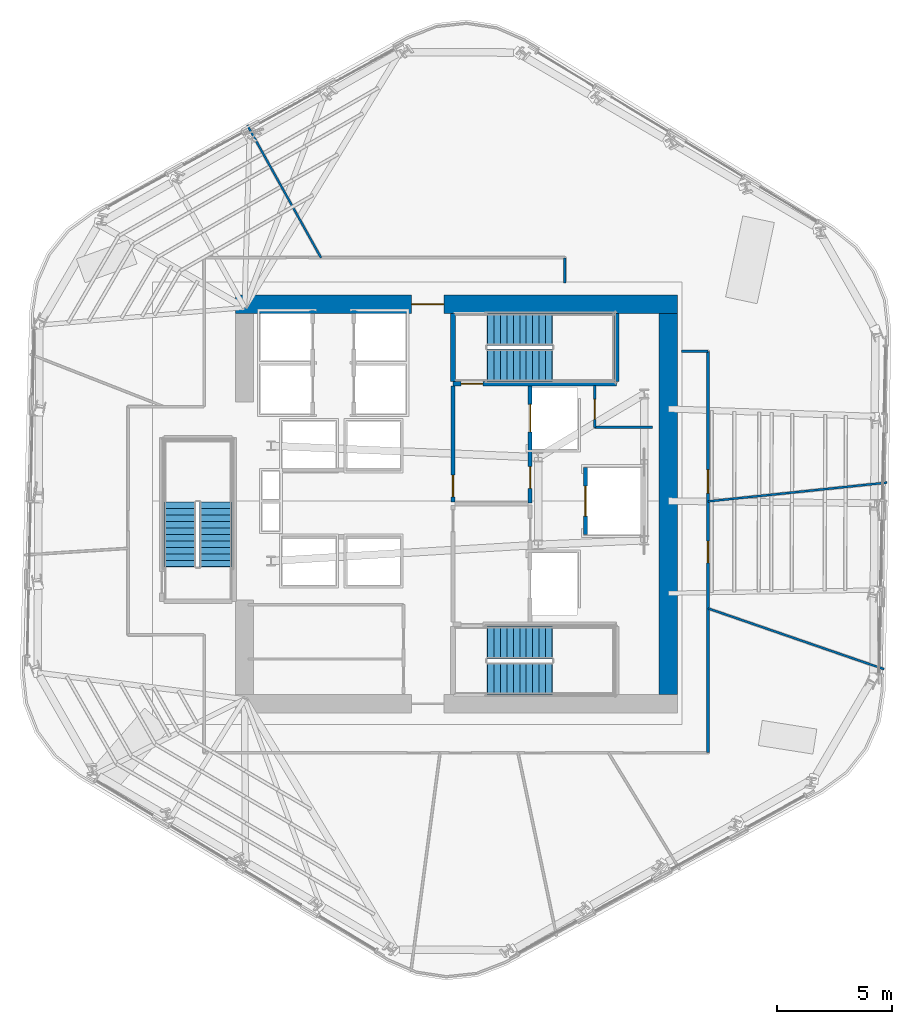
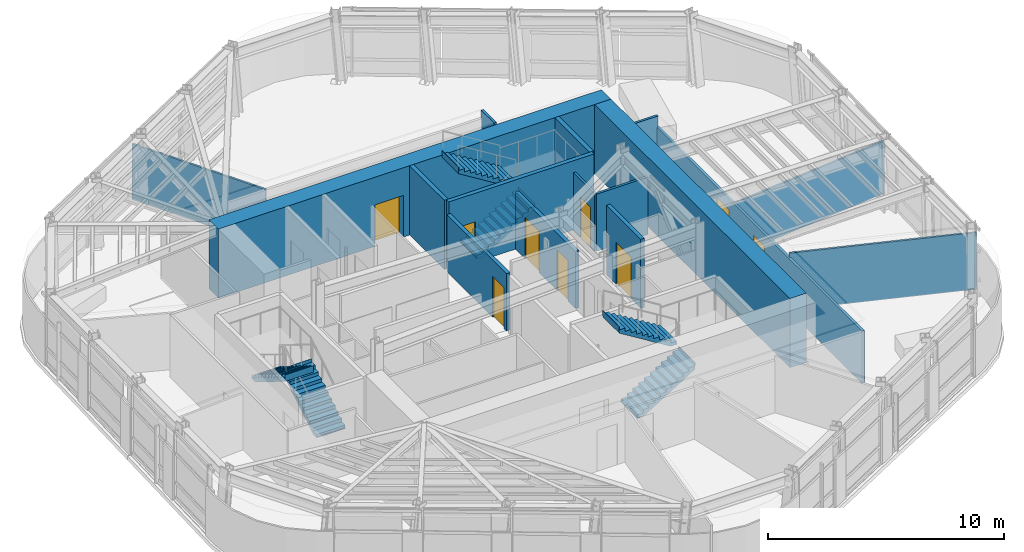
# One storey, part 8 of 14: 16 walls, 9 doors, 6 stair flights, 9 openings, 3 elements without a shape of their own.
"""IFC4 building model written with IfcOpenShell, lengths in metres."""

from ifc_helpers import new_model, si_unit, direction, frame, frame_2d, origin, place, context, subcontext, project, spatial, polyline, rectangle, outline, extrude, material, layer, layer_set, type_object, element, fill, aggregate, save


model = new_model("IFC4")

# Units and contexts
model_context = context("Model", 3, precision=1e-05, world=origin(), true_north=direction((0.0, 1.0)))
body_context = subcontext(model_context, "Body", "Model", "MODEL_VIEW")
ifc_project = project(units=[si_unit("LENGTHUNIT", "METRE"), si_unit("AREAUNIT", "SQUARE_METRE"), si_unit("VOLUMEUNIT", "CUBIC_METRE"), si_unit("PLANEANGLEUNIT", "RADIAN"), si_unit("MASSUNIT", "GRAM", prefix="KILO")], contexts=[model_context])

# Site, building, storey
site_placement = place(None, origin())
site = spatial("IfcSite", under=ifc_project, at=site_placement, CompositionType="ELEMENT")
building_placement = place(site_placement, origin())
building = spatial("IfcBuilding", under=site, at=building_placement, Name="Valkerne Bourse Tower", CompositionType="ELEMENT")
storey_placement = place(building_placement, frame((0.0, 0.0, 147.60009765625)))
storey = spatial("IfcBuildingStorey", under=building, at=storey_placement, Name="L37", CompositionType="ELEMENT", Elevation=147.60009765625)

# Wall, opening, door
ifc_material_1 = material(Name="Concrete C55/67", Category="concrete")
ifc_layer_1 = layer(ifc_material_1, 0.800048828125)
ifc_layer_set_1 = layer_set([ifc_layer_1], Name="Concrete C55/67")
wall_type_1 = type_object("IfcWallType", Name="W-CORE-800", PredefinedType="SHEAR", material=ifc_layer_set_1)
wall_1_placement = place(storey_placement, frame((37.199951171875, 35.550048828125, 0.0), z_axis=(0.0, 0.0, 1.0), x_axis=(1.0, 0.0, 0.0)))
wall_1 = element("IfcWall", 1, at=wall_1_placement, inside=storey, type_object=wall_type_1, Name="L37 Core Shear Wall NORTH", PredefinedType="SHEAR", context=body_context, shape_type="SweptSolid", body=[
    extrude(rectangle(XDim=19.199951171875, YDim=0.800048828125, at=frame_2d((9.60009765625, 0.0))), origin(), (0.0, 0.0, 1.0), 3.579833984375),
])
opening_1_placement = place(wall_1_placement, frame((7.64990234375, 0.0, 0.0)))
opening_1 = element("IfcOpeningElement", 2, at=opening_1_placement, cuts=wall_1, Name="Opening D-PL-1400", PredefinedType="OPENING", context=body_context, shape_type="SweptSolid", body=[
    extrude(rectangle(XDim=1.39990234375, YDim=2.14990234375, at=frame_2d((0.699951171875, 1.074951171875))), frame((0.0, 0.409912109375, 0.0), z_axis=(0.0, -1.0, 0.0), x_axis=(1.0, 0.0, 0.0)), (0.0, 0.0, 1.0), 0.820068359375),
])
ifc_material_2 = material(Name="Galvanised Painted Steel", Category="steel")
door_type_1 = type_object("IfcDoorType", Name="DR-PLT-1400", OperationType="DOUBLE_DOOR_SINGLE_SWING", PredefinedType="DOOR", material=ifc_material_2)
door_1_placement = place(opening_1_placement, origin())
door_1 = element("IfcDoor", 3, at=door_1_placement, inside=storey, type_object=door_type_1, Name="L37 North Passenger Lift Hall Fire Door", OperationType="DOUBLE_DOOR_SINGLE_SWING", OverallHeight=2.14990234375, OverallWidth=1.39990234375, PredefinedType="DOOR", context=body_context, shape_type="SweptSolid", body=[
    extrude(rectangle(XDim=1.39990234375, YDim=2.14990234375, at=frame_2d((0.699951171875, 1.074951171875))), frame((0.0, 0.02490234375, 0.0), z_axis=(0.0, -1.0, 0.0), x_axis=(1.0, 0.0, 0.0)), (0.0, 0.0, 1.0), 0.050048828125),
])
fill(opening_1, door_1)

# Wall
wall_2_placement = place(storey_placement, frame((56.0, 18.60009765625, 0.0), z_axis=(0.0, 0.0, 1.0), x_axis=(0.0, 1.0, 0.0)))
element("IfcWall", 4, at=wall_2_placement, inside=storey, type_object=wall_type_1, Name="L37 Core Shear Wall EAST", PredefinedType="SHEAR", context=body_context, shape_type="SweptSolid", body=[
    extrude(rectangle(XDim=16.5498046875, YDim=0.800048828125, at=frame_2d((8.27490234375, 0.0))), origin(), (0.0, 0.0, 1.0), 3.579833984375),
])

# Wall, opening, door
ifc_material_3 = material(Name="Gypsum Board Steel-Stud Partition", Category="steel")
ifc_layer_2 = layer(ifc_material_3, 0.117919921875)
ifc_layer_set_2 = layer_set([ifc_layer_2], Name="Gypsum Board Steel-Stud Partition")
wall_type_2 = type_object("IfcWallType", Name="W-CORR-140", PredefinedType="PARTITIONING", material=ifc_layer_set_2)
wall_3_placement = place(storey_placement, frame((52.800048828125, 30.199951171875, 0.0), z_axis=(0.0, 0.0, 1.0), x_axis=(0.0, 1.0, 0.0)))
wall_3 = element("IfcWall", 5, at=wall_3_placement, inside=storey, type_object=wall_type_2, Name="L37 Core NE Bay West Wall", PredefinedType="PARTITIONING", context=body_context, shape_type="SweptSolid", body=[
    extrude(rectangle(XDim=1.820068359375, YDim=0.117919921875, at=frame_2d((0.91015625, 0.0))), origin(), (0.0, 0.0, 1.0), 2.9580078125),
])
opening_2_placement = place(wall_3_placement, frame((0.35009765625, 0.0, 0.0)))
opening_2 = element("IfcOpeningElement", 6, at=opening_2_placement, cuts=wall_3, Name="Opening D-WC-900", PredefinedType="OPENING", context=body_context, shape_type="SweptSolid", body=[
    extrude(rectangle(XDim=0.860107421875, YDim=2.050048828125, at=frame_2d((0.43017578125, 1.02490234375))), frame((0.0, 0.06884765625, 0.0), z_axis=(0.0, -1.0, 0.0), x_axis=(1.0, 0.0, 0.0)), (0.0, 0.0, 1.0), 0.137939453125),
])
ifc_material_4 = material(Name="Architectural White Oak Timber", Category="wood")
door_type_2 = type_object("IfcDoorType", Name="DR-WC-900", OperationType="NOTDEFINED", PredefinedType="DOOR", material=ifc_material_4)
door_2_placement = place(opening_2_placement, origin())
door_2 = element("IfcDoor", 7, at=door_2_placement, inside=storey, type_object=door_type_2, Name="L37 Electrical Closet Door", OperationType="SINGLE_SWING_LEFT", OverallHeight=2.050048828125, OverallWidth=0.860107421875, PredefinedType="DOOR", context=body_context, shape_type="SweptSolid", body=[
    extrude(rectangle(XDim=0.860107421875, YDim=2.050048828125, at=frame_2d((0.43017578125, 1.02490234375))), frame((0.0, 0.02490234375, 0.0), z_axis=(0.0, -1.0, 0.0), x_axis=(1.0, 0.0, 0.0)), (0.0, 0.0, 1.0), 0.050048828125),
])
fill(opening_2, door_2)

# Walls
wall_4_placement = place(storey_placement, frame((52.800048828125, 30.199951171875, 0.0), z_axis=(0.0, 0.0, 1.0), x_axis=(1.0, 0.0, 0.0)))
element("IfcWall", 8, at=wall_4_placement, inside=storey, type_object=wall_type_2, Name="L37 Core NE Bay South Wall", PredefinedType="PARTITIONING", context=body_context, shape_type="SweptSolid", body=[
    extrude(rectangle(XDim=2.52001953125, YDim=0.117919921875, at=frame_2d((1.260009765625, 0.0))), origin(), (0.0, 0.0, 1.0), 2.9580078125),
])
wall_5_placement = place(storey_placement, frame((51.5, 37.56005859375, 0.0), z_axis=(0.0, 0.0, 1.0), x_axis=(0.0, -1.0, 0.0)))
element("IfcWall", 9, at=wall_5_placement, inside=storey, type_object=wall_type_2, Name="L37 Corridor Enclosure Wall", PredefinedType="PARTITIONING", context=body_context, shape_type="SweptSolid", body=[
    extrude(rectangle(XDim=1.10009765625, YDim=0.117919921875, at=frame_2d((0.550048828125, 0.0))), origin(), (0.0, 0.0, 1.0), 3.27978515625),
])
wall_6_placement = place(storey_placement, frame((56.56005859375, 33.5, 0.0), z_axis=(0.0, 0.0, 1.0), x_axis=(1.0, 0.0, 0.0)))
element("IfcWall", 10, at=wall_6_placement, inside=storey, type_object=wall_type_2, Name="L37 Corridor Enclosure Wall", PredefinedType="PARTITIONING", context=body_context, shape_type="SweptSolid", body=[
    extrude(rectangle(XDim=1.159912109375, YDim=0.117919921875, at=frame_2d((0.580078125, 0.0))), origin(), (0.0, 0.0, 1.0), 3.27978515625),
])

# Wall, openings, doors
wall_7_placement = place(storey_placement, frame((57.719970703125, 33.5, 0.0), z_axis=(0.0, 0.0, 1.0), x_axis=(0.0, -1.0, 0.0)))
wall_7 = element("IfcWall", 11, at=wall_7_placement, inside=storey, type_object=wall_type_2, Name="L37 Corridor Enclosure Wall", PredefinedType="PARTITIONING", context=body_context, shape_type="SweptSolid", body=[
    extrude(rectangle(XDim=17.419921875, YDim=0.117919921875, at=frame_2d((8.7099609375, 0.0))), origin(), (0.0, 0.0, 1.0), 2.71142578125),
])
opening_3_placement = place(wall_7_placement, frame((8.235107421875, 0.0, 0.0)))
opening_3 = element("IfcOpeningElement", 12, at=opening_3_placement, cuts=wall_7, Name="Opening D-OF-950", PredefinedType="OPENING", context=body_context, shape_type="SweptSolid", body=[
    extrude(rectangle(XDim=0.949951171875, YDim=2.10009765625, at=frame_2d((0.47509765625, 1.050048828125))), frame((0.0, 0.06884765625, 0.0), z_axis=(0.0, -1.0, 0.0), x_axis=(1.0, 0.0, 0.0)), (0.0, 0.0, 1.0), 0.137939453125),
])
opening_4_placement = place(wall_7_placement, frame((5.14990234375, 0.0, 0.0)))
opening_4 = element("IfcOpeningElement", 13, at=opening_4_placement, cuts=wall_7, Name="Opening D-MG-1000", PredefinedType="OPENING", context=body_context, shape_type="SweptSolid", body=[
    extrude(rectangle(XDim=1.0, YDim=2.14990234375, at=frame_2d((0.5, 1.074951171875))), frame((0.0, 0.06884765625, 0.0), z_axis=(0.0, -1.0, 0.0), x_axis=(1.0, 0.0, 0.0)), (0.0, 0.0, 1.0), 0.137939453125),
])
ifc_material_5 = material(Name="Laminated Tempered Safety Glass", Category="glass")
door_type_3 = type_object("IfcDoorType", Name="DR-MTG-1000", OperationType="NOTDEFINED", PredefinedType="DOOR", material=ifc_material_5)
door_3_placement = place(opening_4_placement, origin())
door_3 = element("IfcDoor", 14, at=door_3_placement, inside=storey, type_object=door_type_3, Name="L37 L37 Client Strategy Conference Room 8 Door", OperationType="SINGLE_SWING_RIGHT", OverallHeight=2.14990234375, OverallWidth=1.0, PredefinedType="DOOR", context=body_context, shape_type="SweptSolid", body=[
    extrude(rectangle(XDim=1.0, YDim=2.14990234375, at=frame_2d((0.5, 1.074951171875))), frame((0.0, 0.02490234375, 0.0), z_axis=(0.0, -1.0, 0.0), x_axis=(1.0, 0.0, 0.0)), (0.0, 0.0, 1.0), 0.050048828125),
])
fill(opening_4, door_3)
door_type_4 = type_object("IfcDoorType", Name="DR-OFF-950", OperationType="NOTDEFINED", PredefinedType="DOOR", material=ifc_material_4)
door_4_placement = place(opening_3_placement, origin())
door_4 = element("IfcDoor", 15, at=door_4_placement, inside=storey, type_object=door_type_4, Name="L37 L37 Occupational Wellness Clinic 4 Door", OperationType="SINGLE_SWING_LEFT", OverallHeight=2.10009765625, OverallWidth=0.949951171875, PredefinedType="DOOR", context=body_context, shape_type="SweptSolid", body=[
    extrude(rectangle(XDim=0.949951171875, YDim=2.10009765625, at=frame_2d((0.47509765625, 1.050048828125))), frame((0.0, 0.02490234375, 0.0), z_axis=(0.0, -1.0, 0.0), x_axis=(1.0, 0.0, 0.0)), (0.0, 0.0, 1.0), 0.050048828125),
])
fill(opening_3, door_4)

# Wall, opening, door
ifc_material_6 = material(Name="Gypsum Fire-Rated Shaftwall", Category="gypsum")
ifc_layer_3 = layer(ifc_material_6, 0.179931640625)
ifc_layer_set_3 = layer_set([ifc_layer_3], Name="Gypsum Fire-Rated Shaftwall")
wall_type_3 = type_object("IfcWallType", Name="W-FSAE-180", PredefinedType="PARTITIONING", material=ifc_layer_set_3)
wall_8_placement = place(storey_placement, frame((46.64990234375, 26.9599609375, 0.0), z_axis=(0.0, 0.0, 1.0), x_axis=(0.0, 1.0, 0.0)))
wall_8 = element("IfcWall", 16, at=wall_8_placement, inside=storey, type_object=wall_type_3, Name="L37 FSAE-2 Lobby West Fire Wall", PredefinedType="PARTITIONING", context=body_context, shape_type="SweptSolid", body=[
    extrude(rectangle(XDim=5.0400390625, YDim=0.179931640625, at=frame_2d((2.52001953125, 0.0))), origin(), (0.0, 0.0, 1.0), 2.9580078125),
])
opening_5_placement = place(wall_8_placement, frame((0.219970703125, 0.0, 0.0)))
opening_5 = element("IfcOpeningElement", 17, at=opening_5_placement, cuts=wall_8, Name="Opening D-FS-950", PredefinedType="OPENING", context=body_context, shape_type="SweptSolid", body=[
    extrude(rectangle(XDim=0.949951171875, YDim=2.10009765625, at=frame_2d((0.47509765625, 1.050048828125))), frame((0.0, 0.099853515625, 0.0), z_axis=(0.0, -1.0, 0.0), x_axis=(1.0, 0.0, 0.0)), (0.0, 0.0, 1.0), 0.199951171875),
])
door_type_5 = type_object("IfcDoorType", Name="DR-FSAE-950", OperationType="NOTDEFINED", PredefinedType="DOOR", material=ifc_material_2)
door_5_placement = place(opening_5_placement, origin())
door_5 = element("IfcDoor", 18, at=door_5_placement, inside=storey, type_object=door_type_5, Name="L37 FSAE-2 Hall Link Fire Door", OperationType="SINGLE_SWING_RIGHT", OverallHeight=2.10009765625, OverallWidth=0.949951171875, PredefinedType="DOOR", context=body_context, shape_type="SweptSolid", body=[
    extrude(rectangle(XDim=0.949951171875, YDim=2.10009765625, at=frame_2d((0.47509765625, 1.050048828125))), frame((0.0, 0.02490234375, 0.0), z_axis=(0.0, -1.0, 0.0), x_axis=(1.0, 0.0, 0.0)), (0.0, 0.0, 1.0), 0.050048828125),
])
fill(opening_5, door_5)

# Wall, openings, doors
wall_9_placement = place(storey_placement, frame((50.0, 26.919921875, 0.0), z_axis=(0.0, 0.0, 1.0), x_axis=(0.0, 1.0, 0.0)))
wall_9 = element("IfcWall", 19, at=wall_9_placement, inside=storey, type_object=wall_type_3, Name="L37 FSAE-2 Lobby & Shaft Front Wall", PredefinedType="PARTITIONING", context=body_context, shape_type="SweptSolid", body=[
    extrude(rectangle(XDim=5.080078125, YDim=0.179931640625, at=frame_2d((2.5400390625, 0.0))), origin(), (0.0, 0.0, 1.0), 2.9580078125),
])
opening_6_placement = place(wall_9_placement, frame((3.080078125, 0.0, 0.0)))
opening_6 = element("IfcOpeningElement", 20, at=opening_6_placement, cuts=wall_9, Name="Opening LD-1200", PredefinedType="OPENING", context=body_context, shape_type="SweptSolid", body=[
    extrude(rectangle(XDim=1.199951171875, YDim=2.14990234375, at=frame_2d((0.60009765625, 1.074951171875))), frame((0.0, 0.099853515625, 0.0), z_axis=(0.0, -1.0, 0.0), x_axis=(1.0, 0.0, 0.0)), (0.0, 0.0, 1.0), 0.199951171875),
])
opening_7_placement = place(wall_9_placement, frame((0.6298828125, 0.0, 0.0)))
opening_7 = element("IfcOpeningElement", 21, at=opening_7_placement, cuts=wall_9, Name="Opening D-FS-950", PredefinedType="OPENING", context=body_context, shape_type="SweptSolid", body=[
    extrude(rectangle(XDim=0.949951171875, YDim=2.10009765625, at=frame_2d((0.47509765625, 1.050048828125))), frame((0.0, 0.099853515625, 0.0), z_axis=(0.0, -1.0, 0.0), x_axis=(1.0, 0.0, 0.0)), (0.0, 0.0, 1.0), 0.199951171875),
])
door_6_placement = place(opening_7_placement, origin())
door_6 = element("IfcDoor", 22, at=door_6_placement, inside=storey, type_object=door_type_5, Name="L37 FSAE-2 Lobby Corridor Fire Door", OperationType="SINGLE_SWING_RIGHT", OverallHeight=2.10009765625, OverallWidth=0.949951171875, PredefinedType="DOOR", context=body_context, shape_type="SweptSolid", body=[
    extrude(rectangle(XDim=0.949951171875, YDim=2.10009765625, at=frame_2d((0.47509765625, 1.050048828125))), frame((0.0, 0.02490234375, 0.0), z_axis=(0.0, -1.0, 0.0), x_axis=(1.0, 0.0, 0.0)), (0.0, 0.0, 1.0), 0.050048828125),
])
fill(opening_7, door_6)
ifc_material_7 = material(Name="Stainless Steel AISI 316", Category="steel")
door_type_6 = type_object("IfcDoorType", Name="DR-LIFT-1200", OperationType="DOUBLE_DOOR_SLIDING", PredefinedType="DOOR", material=ifc_material_7)
door_7_placement = place(opening_6_placement, origin())
door_7 = element("IfcDoor", 23, at=door_7_placement, inside=storey, type_object=door_type_6, Name="L37 FSAE-2 Firefighting Lift Landing Door", OperationType="DOUBLE_DOOR_SLIDING", OverallHeight=2.14990234375, OverallWidth=1.199951171875, PredefinedType="DOOR", context=body_context, shape_type="SweptSolid", body=[
    extrude(rectangle(XDim=1.199951171875, YDim=2.14990234375, at=frame_2d((0.60009765625, 1.074951171875))), frame((0.0, 0.02490234375, 0.0), z_axis=(0.0, -1.0, 0.0), x_axis=(1.0, 0.0, 0.0)), (0.0, 0.0, 1.0), 0.050048828125),
])
fill(opening_6, door_7)

# Wall, opening, door
ifc_material_8 = material(Name="CMU Blockwork Masonry 200mm", Category="masonry")
ifc_layer_4 = layer(ifc_material_8, 0.179931640625)
ifc_layer_set_4 = layer_set([ifc_layer_4], Name="CMU Blockwork Masonry 200mm")
wall_type_4 = type_object("IfcWallType", Name="W-LFT-180", PredefinedType="SOLIDWALL", material=ifc_layer_set_4)
wall_10_placement = place(storey_placement, frame((52.39990234375, 25.550048828125, 0.0), z_axis=(0.0, 0.0, 1.0), x_axis=(0.0, 1.0, 0.0)))
wall_10 = element("IfcWall", 24, at=wall_10_placement, inside=storey, type_object=wall_type_4, Name="L37 Service Lift SV-1 Front Wall", PredefinedType="SOLIDWALL", context=body_context, shape_type="SweptSolid", body=[
    extrude(rectangle(XDim=2.89990234375, YDim=0.179931640625, at=frame_2d((1.449951171875, 0.0))), origin(), (0.0, 0.0, 1.0), 3.579833984375),
])
opening_8_placement = place(wall_10_placement, frame((0.800048828125, 0.0, 0.0)))
opening_8 = element("IfcOpeningElement", 25, at=opening_8_placement, cuts=wall_10, Name="Opening LD-1300", PredefinedType="OPENING", context=body_context, shape_type="SweptSolid", body=[
    extrude(rectangle(XDim=1.300048828125, YDim=2.14990234375, at=frame_2d((0.64990234375, 1.074951171875))), frame((0.0, 0.099853515625, 0.0), z_axis=(0.0, -1.0, 0.0), x_axis=(1.0, 0.0, 0.0)), (0.0, 0.0, 1.0), 0.199951171875),
])
door_type_7 = type_object("IfcDoorType", Name="DR-LIFT-1300", OperationType="DOUBLE_DOOR_SLIDING", PredefinedType="DOOR", material=ifc_material_7)
door_8_placement = place(opening_8_placement, origin())
door_8 = element("IfcDoor", 26, at=door_8_placement, inside=storey, type_object=door_type_7, Name="L37 Service Lift SV-1 Landing Door", OperationType="DOUBLE_DOOR_SLIDING", OverallHeight=2.14990234375, OverallWidth=1.300048828125, PredefinedType="DOOR", context=body_context, shape_type="SweptSolid", body=[
    extrude(rectangle(XDim=1.300048828125, YDim=2.14990234375, at=frame_2d((0.64990234375, 1.074951171875))), frame((0.0, 0.02490234375, 0.0), z_axis=(0.0, -1.0, 0.0), x_axis=(1.0, 0.0, 0.0)), (0.0, 0.0, 1.0), 0.050048828125),
])
fill(opening_8, door_8)

# Walls
ifc_layer_5 = layer(ifc_material_3, 0.092041015625)
ifc_layer_set_5 = layer_set([ifc_layer_5], Name="Gypsum Board Steel-Stud Partition")
wall_type_5 = type_object("IfcWallType", Name="W-PART-115", PredefinedType="PARTITIONING", material=ifc_layer_set_5)
wall_11_placement = place(storey_placement, frame((57.72509765625, 22.338623046875, 0.0), z_axis=(0.0, 0.0, 1.0), x_axis=(0.945347611189, -0.326064248301, 0.0)))
element("IfcWall", 27, at=wall_11_placement, inside=storey, type_object=wall_type_5, Name="L37 Suite Partition P04", PredefinedType="PARTITIONING", context=body_context, shape_type="SweptSolid", body=[
    extrude(rectangle(XDim=8.079833984375, YDim=0.092041015625, at=frame_2d((4.0400390625, 0.0))), origin(), (0.0, 0.0, 1.0), 2.9423828125),
])
wall_12_placement = place(storey_placement, frame((57.72509765625, 26.98583984375, 0.0), z_axis=(0.0, 0.0, 1.0), x_axis=(0.994513330388, 0.104609921518, 0.0)))
element("IfcWall", 28, at=wall_12_placement, inside=storey, type_object=wall_type_5, Name="L37 Suite Partition P05", PredefinedType="PARTITIONING", context=body_context, shape_type="SweptSolid", body=[
    extrude(rectangle(XDim=7.808837890625, YDim=0.092041015625, at=frame_2d((3.904296875, 0.0))), origin(), (0.0, 0.0, 1.0), 2.71142578125),
])
wall_13_placement = place(storey_placement, frame((40.91796875, 37.56494140625, 0.0), z_axis=(0.0, 0.0, 1.0), x_axis=(-0.485737375335, 0.874104800469, 0.0)))
element("IfcWall", 29, at=wall_13_placement, inside=storey, type_object=wall_type_5, Name="L37 Suite Partition P06", PredefinedType="PARTITIONING", context=body_context, shape_type="SweptSolid", body=[
    extrude(rectangle(XDim=6.584228515625, YDim=0.092041015625, at=frame_2d((3.2919921875, 0.0))), origin(), (0.0, 0.0, 1.0), 2.87646484375),
])

# Wall, opening, door
ifc_material_9 = material(Name="Concrete C40/50", Category="concrete")
ifc_layer_6 = layer(ifc_material_9, 0.199951171875)
ifc_layer_set_6 = layer_set([ifc_layer_6], Name="Concrete C40/50")
wall_type_6 = type_object("IfcWallType", Name="W-SHF-200", PredefinedType="SHEAR", material=ifc_layer_set_6)
wall_14_placement = place(storey_placement, frame((46.64990234375, 32.10009765625, 0.0), z_axis=(0.0, 0.0, 1.0), x_axis=(1.0, 0.0, 0.0)))
wall_14 = element("IfcWall", 30, at=wall_14_placement, inside=storey, type_object=wall_type_6, Name="L37 Exit Stair ST-2 Structural Shaft Wall South", PredefinedType="SHEAR", context=body_context, shape_type="SweptSolid", body=[
    extrude(rectangle(XDim=7.10009765625, YDim=0.199951171875, at=frame_2d((3.550048828125, 0.0))), origin(), (0.0, 0.0, 1.0), 3.579833984375),
])
opening_9_placement = place(wall_14_placement, frame((0.35009765625, 0.0, 0.0)))
opening_9 = element("IfcOpeningElement", 31, at=opening_9_placement, cuts=wall_14, Name="Opening D-ST-950", PredefinedType="OPENING", context=body_context, shape_type="SweptSolid", body=[
    extrude(rectangle(XDim=0.949951171875, YDim=2.10009765625, at=frame_2d((0.47509765625, 1.050048828125))), frame((0.0, 0.10986328125, 0.0), z_axis=(0.0, -1.0, 0.0), x_axis=(1.0, 0.0, 0.0)), (0.0, 0.0, 1.0), 0.219970703125),
])
door_type_8 = type_object("IfcDoorType", Name="DR-STAIR-950", OperationType="NOTDEFINED", PredefinedType="DOOR", material=ifc_material_2)
door_9_placement = place(opening_9_placement, origin())
door_9 = element("IfcDoor", 32, at=door_9_placement, inside=storey, type_object=door_type_8, Name="L37 Exit Stair ST-2 Door", OperationType="SINGLE_SWING_RIGHT", OverallHeight=2.10009765625, OverallWidth=0.949951171875, PredefinedType="DOOR", context=body_context, shape_type="SweptSolid", body=[
    extrude(rectangle(XDim=0.949951171875, YDim=2.10009765625, at=frame_2d((0.47509765625, 1.050048828125))), frame((0.0, 0.02490234375, 0.0), z_axis=(0.0, -1.0, 0.0), x_axis=(1.0, 0.0, 0.0)), (0.0, 0.0, 1.0), 0.050048828125),
])
fill(opening_9, door_9)

# Walls
for number, where, z_axis, x_axis, name in (
    (33, (46.64990234375, 32.199951171875, 0.0), (0.0, 0.0, 1.0), (0.0, 1.0, 0.0), "L37 Exit Stair ST-2 Structural Shaft Wall West"),
    (34, (53.75, 32.199951171875, 0.0), (0.0, 0.0, 1.0), (0.0, 1.0, 0.0), "L37 Exit Stair ST-2 Structural Shaft Wall East"),
):
    element("IfcWall", number, at=place(storey_placement, frame(where, z_axis=z_axis, x_axis=x_axis)), inside=storey, type_object=wall_type_6, Name=name, PredefinedType="SHEAR", context=body_context, shape_type="SweptSolid", body=[
        extrude(rectangle(XDim=2.949951171875, YDim=0.199951171875, at=frame_2d((1.47509765625, 0.0))), origin(), (0.0, 0.0, 1.0), 3.579833984375),
    ])

# Stair, stair flights
stair_type = type_object("IfcStairType", Name="ST-CORE-1400", PredefinedType="HALF_TURN_STAIR", material=ifc_material_9)
stair_1_placement = place(storey_placement, origin())
stair_1 = element("IfcStair", 35, at=stair_1_placement, inside=storey, type_object=stair_type, Name="L37 ST-1", PredefinedType="HALF_TURN_STAIR")
stair_flight_type = type_object("IfcStairFlightType", Name="STF-CORE-1400", PredefinedType="STRAIGHT", material=ifc_material_9)
stair_flight_1_placement = place(storey_placement, frame((48.14990234375, 19.300048828125, 0.0), z_axis=(0.0, 0.0, 1.0), x_axis=(1.0, 0.0, 0.0)))
stair_flight_1 = element("IfcStairFlight", 36, at=stair_flight_1_placement, type_object=stair_flight_type, Name="ST-1 flight 1", NumberOfRisers=11, NumberOfTreads=10, PredefinedType="STRAIGHT", RiserHeight=0.172727273, TreadLength=0.28, context=body_context, shape_type="SweptSolid", body=[
    extrude(outline(polyline([(-0.02001953125, 0.0), (-0.02001953125, 0.044921875), (0.0, 0.044921875), (0.0, 0.172607421875), (0.280029296875, 0.172607421875), (0.280029296875, 0.345458984375), (0.56005859375, 0.345458984375), (0.56005859375, 0.51806640625), (0.840087890625, 0.51806640625), (0.840087890625, 0.69091796875), (1.1201171875, 0.69091796875), (1.1201171875, 0.863525390625), (1.39990234375, 0.863525390625), (1.39990234375, 1.036376953125), (1.679931640625, 1.036376953125), (1.679931640625, 1.208984375), (1.9599609375, 1.208984375), (1.9599609375, 1.3818359375), (2.239990234375, 1.3818359375), (2.239990234375, 1.554443359375), (2.52001953125, 1.554443359375), (2.52001953125, 1.727294921875), (2.800048828125, 1.727294921875), (2.800048828125, 1.89990234375), (2.820068359375, 1.89990234375), (2.820068359375, 1.780029296875), (2.800048828125, 1.551025390625), (0.285400390625, 0.0), (-0.02001953125, 0.0)])), frame((0.0, 0.699951171875, 0.0), z_axis=(0.0, -1.0, 0.0), x_axis=(1.0, 0.0, 0.0)), (0.0, 0.0, 1.0), 1.39990234375),
])
stair_flight_2_placement = place(storey_placement, frame((50.949951171875, 20.85009765625, 1.89990234375), z_axis=(0.0, 0.0, 1.0), x_axis=(-1.0, 0.0, 0.0)))
stair_flight_2 = element("IfcStairFlight", 37, at=stair_flight_2_placement, type_object=stair_flight_type, Name="ST-1 flight 2", NumberOfRisers=11, NumberOfTreads=10, PredefinedType="STRAIGHT", RiserHeight=0.172727273, TreadLength=0.28, context=body_context, shape_type="SweptSolid", body=[
    extrude(outline(polyline([(-0.02001953125, 0.0), (-0.02001953125, 0.044921875), (0.0, 0.044921875), (0.0, 0.172607421875), (0.280029296875, 0.172607421875), (0.280029296875, 0.345458984375), (0.56005859375, 0.345458984375), (0.56005859375, 0.51806640625), (0.840087890625, 0.51806640625), (0.840087890625, 0.69091796875), (1.1201171875, 0.69091796875), (1.1201171875, 0.863525390625), (1.39990234375, 0.863525390625), (1.39990234375, 1.036376953125), (1.679931640625, 1.036376953125), (1.679931640625, 1.208984375), (1.9599609375, 1.208984375), (1.9599609375, 1.3818359375), (2.239990234375, 1.3818359375), (2.239990234375, 1.554443359375), (2.52001953125, 1.554443359375), (2.52001953125, 1.727294921875), (2.800048828125, 1.727294921875), (2.800048828125, 1.89990234375), (2.820068359375, 1.89990234375), (2.820068359375, 1.780029296875), (2.800048828125, 1.551025390625), (0.285400390625, 0.0), (-0.02001953125, 0.0)])), frame((0.0, 0.699951171875, 0.0), z_axis=(0.0, -1.0, 0.0), x_axis=(1.0, 0.0, 0.0)), (0.0, 0.0, 1.0), 1.39990234375),
])
aggregate(stair_1, [stair_flight_1, stair_flight_2])

stair_2_placement = place(storey_placement, origin())
stair_2 = element("IfcStair", 38, at=stair_2_placement, inside=storey, type_object=stair_type, Name="L37 ST-2", PredefinedType="HALF_TURN_STAIR")
stair_flight_3_placement = place(storey_placement, frame((48.14990234375, 32.89990234375, 0.0), z_axis=(0.0, 0.0, 1.0), x_axis=(1.0, 0.0, 0.0)))
stair_flight_3 = element("IfcStairFlight", 39, at=stair_flight_3_placement, type_object=stair_flight_type, Name="ST-2 flight 1", NumberOfRisers=11, NumberOfTreads=10, PredefinedType="STRAIGHT", RiserHeight=0.172727273, TreadLength=0.28, context=body_context, shape_type="SweptSolid", body=[
    extrude(outline(polyline([(-0.02001953125, 0.0), (-0.02001953125, 0.044921875), (0.0, 0.044921875), (0.0, 0.172607421875), (0.280029296875, 0.172607421875), (0.280029296875, 0.345458984375), (0.56005859375, 0.345458984375), (0.56005859375, 0.51806640625), (0.840087890625, 0.51806640625), (0.840087890625, 0.69091796875), (1.1201171875, 0.69091796875), (1.1201171875, 0.863525390625), (1.39990234375, 0.863525390625), (1.39990234375, 1.036376953125), (1.679931640625, 1.036376953125), (1.679931640625, 1.208984375), (1.9599609375, 1.208984375), (1.9599609375, 1.3818359375), (2.239990234375, 1.3818359375), (2.239990234375, 1.554443359375), (2.52001953125, 1.554443359375), (2.52001953125, 1.727294921875), (2.800048828125, 1.727294921875), (2.800048828125, 1.89990234375), (2.820068359375, 1.89990234375), (2.820068359375, 1.780029296875), (2.800048828125, 1.551025390625), (0.285400390625, 0.0), (-0.02001953125, 0.0)])), frame((0.0, 0.699951171875, 0.0), z_axis=(0.0, -1.0, 0.0), x_axis=(1.0, 0.0, 0.0)), (0.0, 0.0, 1.0), 1.39990234375),
])
stair_flight_4_placement = place(storey_placement, frame((50.949951171875, 34.449951171875, 1.89990234375), z_axis=(0.0, 0.0, 1.0), x_axis=(-1.0, 0.0, 0.0)))
stair_flight_4 = element("IfcStairFlight", 40, at=stair_flight_4_placement, type_object=stair_flight_type, Name="ST-2 flight 2", NumberOfRisers=11, NumberOfTreads=10, PredefinedType="STRAIGHT", RiserHeight=0.172727273, TreadLength=0.28, context=body_context, shape_type="SweptSolid", body=[
    extrude(outline(polyline([(-0.02001953125, 0.0), (-0.02001953125, 0.044921875), (0.0, 0.044921875), (0.0, 0.172607421875), (0.280029296875, 0.172607421875), (0.280029296875, 0.345458984375), (0.56005859375, 0.345458984375), (0.56005859375, 0.51806640625), (0.840087890625, 0.51806640625), (0.840087890625, 0.69091796875), (1.1201171875, 0.69091796875), (1.1201171875, 0.863525390625), (1.39990234375, 0.863525390625), (1.39990234375, 1.036376953125), (1.679931640625, 1.036376953125), (1.679931640625, 1.208984375), (1.9599609375, 1.208984375), (1.9599609375, 1.3818359375), (2.239990234375, 1.3818359375), (2.239990234375, 1.554443359375), (2.52001953125, 1.554443359375), (2.52001953125, 1.727294921875), (2.800048828125, 1.727294921875), (2.800048828125, 1.89990234375), (2.820068359375, 1.89990234375), (2.820068359375, 1.780029296875), (2.800048828125, 1.551025390625), (0.285400390625, 0.0), (-0.02001953125, 0.0)])), frame((0.0, 0.699951171875, 0.0), z_axis=(0.0, -1.0, 0.0), x_axis=(1.0, 0.0, 0.0)), (0.0, 0.0, 1.0), 1.39990234375),
])
aggregate(stair_2, [stair_flight_3, stair_flight_4])

stair_3_placement = place(storey_placement, origin())
stair_3 = element("IfcStair", 41, at=stair_3_placement, inside=storey, type_object=stair_type, Name="L37 ST-3", PredefinedType="HALF_TURN_STAIR")
stair_flight_5_placement = place(storey_placement, frame((36.35009765625, 24.14990234375, 0.0), z_axis=(0.0, 0.0, 1.0), x_axis=(0.0, 1.0, 0.0)))
stair_flight_5 = element("IfcStairFlight", 42, at=stair_flight_5_placement, type_object=stair_flight_type, Name="ST-3 flight 1", NumberOfRisers=11, NumberOfTreads=10, PredefinedType="STRAIGHT", RiserHeight=0.172727273, TreadLength=0.28, context=body_context, shape_type="SweptSolid", body=[
    extrude(outline(polyline([(-0.02001953125, 0.0), (-0.02001953125, 0.044921875), (0.0, 0.044921875), (0.0, 0.172607421875), (0.280029296875, 0.172607421875), (0.280029296875, 0.345458984375), (0.56005859375, 0.345458984375), (0.56005859375, 0.51806640625), (0.840087890625, 0.51806640625), (0.840087890625, 0.69091796875), (1.1201171875, 0.69091796875), (1.1201171875, 0.863525390625), (1.39990234375, 0.863525390625), (1.39990234375, 1.036376953125), (1.679931640625, 1.036376953125), (1.679931640625, 1.208984375), (1.9599609375, 1.208984375), (1.9599609375, 1.3818359375), (2.239990234375, 1.3818359375), (2.239990234375, 1.554443359375), (2.52001953125, 1.554443359375), (2.52001953125, 1.727294921875), (2.800048828125, 1.727294921875), (2.800048828125, 1.89990234375), (2.820068359375, 1.89990234375), (2.820068359375, 1.780029296875), (2.800048828125, 1.551025390625), (0.285400390625, 0.0), (-0.02001953125, 0.0)])), frame((0.0, 0.699951171875, 0.0), z_axis=(0.0, -1.0, 0.0), x_axis=(1.0, 0.0, 0.0)), (0.0, 0.0, 1.0), 1.39990234375),
])
stair_flight_6_placement = place(storey_placement, frame((34.800048828125, 26.949951171875, 1.89990234375), z_axis=(0.0, 0.0, 1.0), x_axis=(0.0, -1.0, 0.0)))
stair_flight_6 = element("IfcStairFlight", 43, at=stair_flight_6_placement, type_object=stair_flight_type, Name="ST-3 flight 2", NumberOfRisers=11, NumberOfTreads=10, PredefinedType="STRAIGHT", RiserHeight=0.172727273, TreadLength=0.28, context=body_context, shape_type="SweptSolid", body=[
    extrude(outline(polyline([(-0.02001953125, 0.0), (-0.02001953125, 0.044921875), (0.0, 0.044921875), (0.0, 0.172607421875), (0.280029296875, 0.172607421875), (0.280029296875, 0.345458984375), (0.56005859375, 0.345458984375), (0.56005859375, 0.51806640625), (0.840087890625, 0.51806640625), (0.840087890625, 0.69091796875), (1.1201171875, 0.69091796875), (1.1201171875, 0.863525390625), (1.39990234375, 0.863525390625), (1.39990234375, 1.036376953125), (1.679931640625, 1.036376953125), (1.679931640625, 1.208984375), (1.9599609375, 1.208984375), (1.9599609375, 1.3818359375), (2.239990234375, 1.3818359375), (2.239990234375, 1.554443359375), (2.52001953125, 1.554443359375), (2.52001953125, 1.727294921875), (2.800048828125, 1.727294921875), (2.800048828125, 1.89990234375), (2.820068359375, 1.89990234375), (2.820068359375, 1.780029296875), (2.800048828125, 1.551025390625), (0.285400390625, 0.0), (-0.02001953125, 0.0)])), frame((0.0, 0.699951171875, 0.0), z_axis=(0.0, -1.0, 0.0), x_axis=(1.0, 0.0, 0.0)), (0.0, 0.0, 1.0), 1.39990234375),
])
aggregate(stair_3, [stair_flight_5, stair_flight_6])

save(model, "model.ifc")
